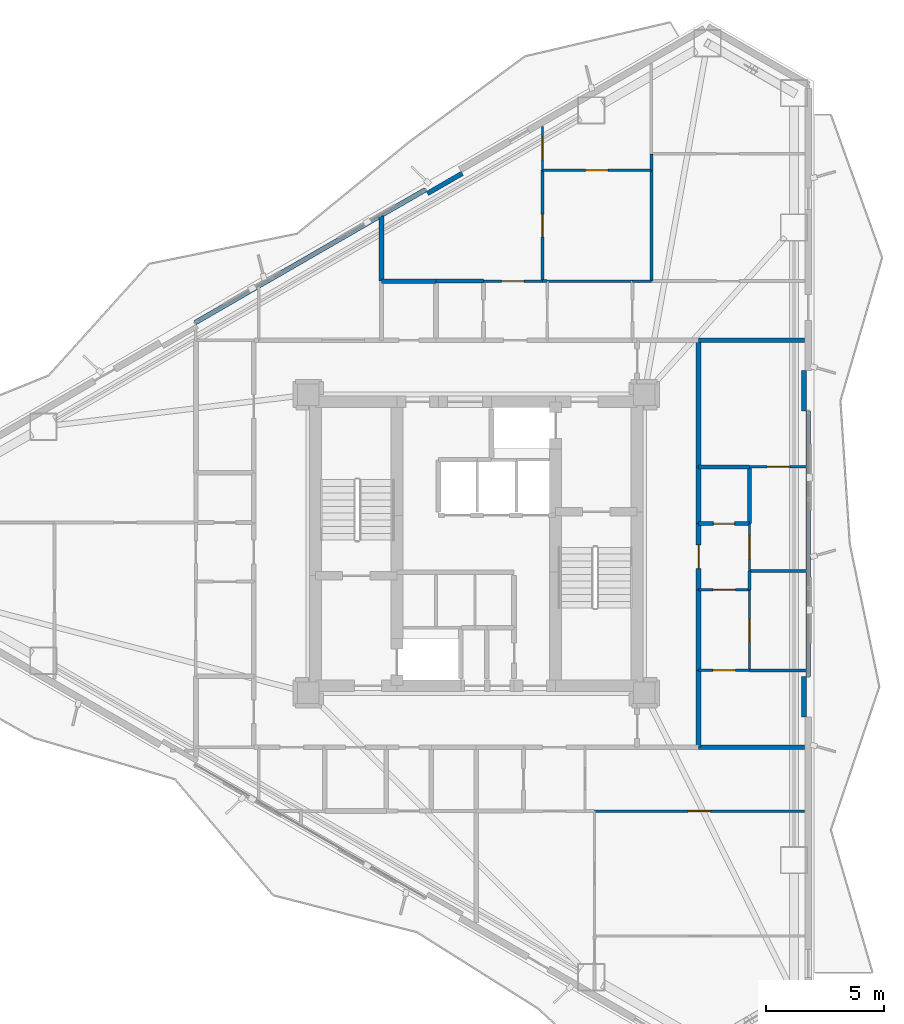
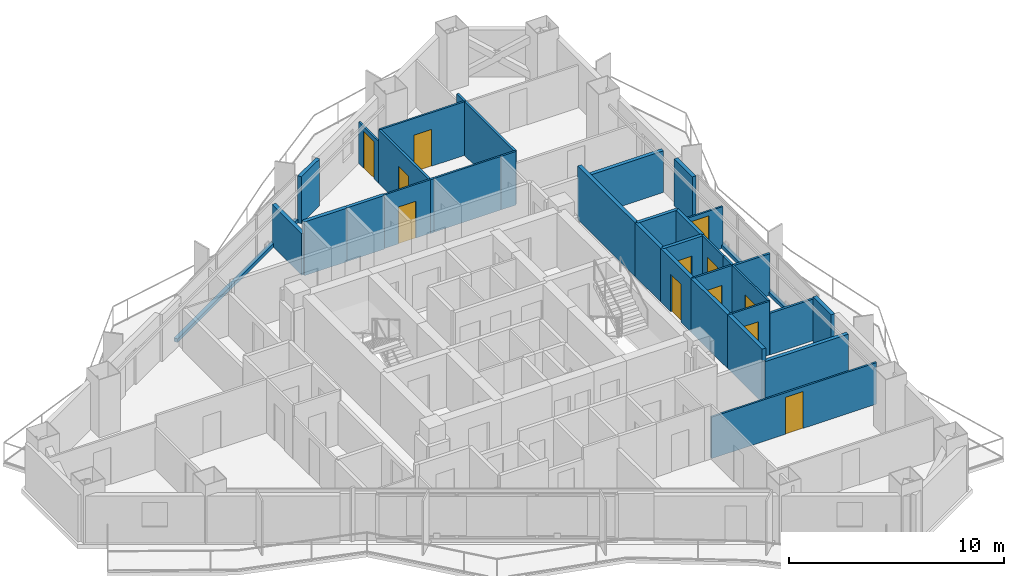
# One storey, part 19 of 22: 36 walls, 12 doors, 12 openings.
"""IFC4 building model written with IfcOpenShell, lengths in metres."""

from ifc_helpers import new_model, si_unit, direction, frame, frame_2d, origin, place, context, subcontext, project, spatial, rectangle, extrude, material, layer, layer_set, type_object, element, fill, save


model = new_model("IFC4")

# Units and contexts
model_context = context("Model", 3, precision=1e-05, world=origin(), true_north=direction((0.0, 1.0)))
body_context = subcontext(model_context, "Body", "Model", "MODEL_VIEW")
ifc_project = project(units=[si_unit("LENGTHUNIT", "METRE"), si_unit("AREAUNIT", "SQUARE_METRE"), si_unit("VOLUMEUNIT", "CUBIC_METRE"), si_unit("PLANEANGLEUNIT", "RADIAN"), si_unit("MASSUNIT", "GRAM", prefix="KILO")], contexts=[model_context])

# Site, building, storey
site_placement = place(None, origin())
site = spatial("IfcSite", under=ifc_project, at=site_placement, CompositionType="ELEMENT")
building_placement = place(site_placement, origin())
building = spatial("IfcBuilding", under=site, at=building_placement, Name="Mersakhor Tower and Convention Hall", CompositionType="ELEMENT")
storey_placement = place(building_placement, frame((0.0, 0.0, 76.800048828125)))
storey = spatial("IfcBuildingStorey", under=building, at=storey_placement, Name="L20", CompositionType="ELEMENT", Elevation=76.800048828125)

# Walls
ifc_material_1 = material(Name="Precast concrete C40/50", Category="concrete")
ifc_layer_1 = layer(ifc_material_1, 0.199951171875)
ifc_layer_set_1 = layer_set([ifc_layer_1], Name="Precast concrete C40/50")
wall_type_1 = type_object("IfcWallType", Name="WL-PAR-200", PredefinedType="PARAPET", material=ifc_layer_set_1)
wall_1_placement = place(storey_placement, frame((17.1201171875, 36.096923828125, 0.0), z_axis=(0.0, 0.0, 1.0), x_axis=(0.866027010039, 0.499997217876, 0.0)))
element("IfcWall", 1, at=wall_1_placement, inside=storey, type_object=wall_type_1, Name="L20 Curtain Wall Upstand Sill F1-B2", PredefinedType="PARAPET", context=body_context, shape_type="SweptSolid", body=[
    extrude(rectangle(XDim=11.2294921875, YDim=0.199951171875, at=frame_2d((5.61474609375, 0.0))), origin(), (0.0, 0.0, 1.0), 0.199951171875),
])
wall_2_placement = place(storey_placement, frame((26.935302734375, 41.555908203125, 0.0), z_axis=(0.0, 0.0, 1.0), x_axis=(0.86605165483, 0.499954529098, 0.0)))
element("IfcWall", 2, at=wall_2_placement, inside=storey, type_object=wall_type_1, Name="L20 Column Pier Cladding Wall F1-C2", PredefinedType="PARAPET", context=body_context, shape_type="SweptSolid", body=[
    extrude(rectangle(XDim=1.699951171875, YDim=0.199951171875, at=frame_2d((0.85009765625, 0.0))), origin(), (0.0, 0.0, 1.0), 2.669921875),
])
wall_3_placement = place(storey_placement, frame((43.03466796875, 32.36474609375, 0.0), z_axis=(0.0, 0.0, 1.0), x_axis=(0.0, -1.0, 0.0)))
element("IfcWall", 3, at=wall_3_placement, inside=storey, type_object=wall_type_1, Name="L20 Curtain Wall Upstand Sill F2-B2", PredefinedType="PARAPET", context=body_context, shape_type="SweptSolid", body=[
    extrude(rectangle(XDim=11.2294921875, YDim=0.199951171875, at=frame_2d((5.61474609375, 0.0))), origin(), (0.0, 0.0, 1.0), 0.199951171875),
])
for number, where, z_axis, x_axis, name in (
    (4, (42.8544921875, 34.064697265625, 0.0), (0.0, 0.0, 1.0), (0.0, -1.0, 0.0), "L20 Column Pier Cladding Wall F2-C1"),
    (5, (42.8544921875, 21.13525390625, 0.0), (0.0, 0.0, 1.0), (0.0, -1.0, 0.0), "L20 Column Pier Cladding Wall F2-C2"),
):
    element("IfcWall", number, at=place(storey_placement, frame(where, z_axis=z_axis, x_axis=x_axis)), inside=storey, type_object=wall_type_1, Name=name, PredefinedType="PARAPET", context=body_context, shape_type="SweptSolid", body=[
        extrude(rectangle(XDim=1.699951171875, YDim=0.199951171875, at=frame_2d((0.85009765625, 0.0))), origin(), (0.0, 0.0, 1.0), 2.669921875),
    ])

# Wall, opening, door
ifc_material_2 = material(Name="Moisture-resistant acoustic drywall studwork", Category="other")
ifc_layer_2 = layer(ifc_material_2, 0.175048828125)
ifc_layer_set_2 = layer_set([ifc_layer_2], Name="Moisture-resistant acoustic drywall studwork")
wall_type_2 = type_object("IfcWallType", Name="WL-PLM-175", PredefinedType="PLUMBINGWALL", material=ifc_layer_set_2)
wall_4_placement = place(storey_placement, frame((38.39990234375, 27.60009765625, 0.0), z_axis=(0.0, 0.0, 1.0), x_axis=(1.0, 0.0, 0.0)))
wall_4 = element("IfcWall", 6, at=wall_4_placement, inside=storey, type_object=wall_type_2, Name="L20 Interior Partition Wall P-079", PredefinedType="PLUMBINGWALL", context=body_context, shape_type="SweptSolid", body=[
    extrude(rectangle(XDim=2.150146484375, YDim=0.175048828125, at=frame_2d((1.0751953125, 0.0))), origin(), (0.0, 0.0, 1.0), 3.050048828125),
])
opening_1_placement = place(wall_4_placement, frame((0.625, 0.0, 0.0)))
opening_1 = element("IfcOpeningElement", 7, at=opening_1_placement, cuts=wall_4, Name="Opening WD-01", PredefinedType="OPENING", context=body_context, shape_type="SweptSolid", body=[
    extrude(rectangle(XDim=0.89990234375, YDim=2.10009765625, at=frame_2d((0.449951171875, 1.050048828125))), frame((0.0, 0.097412109375, 0.0), z_axis=(0.0, -1.0, 0.0), x_axis=(1.0, 0.0, 0.0)), (0.0, 0.0, 1.0), 0.195068359375),
])
ifc_material_3 = material(Name="Solid-core hardwood leaf in painted steel frame", Category="steel")
door_type_1 = type_object("IfcDoorType", Name="DR-INT-WET-090x210", OperationType="NOTDEFINED", PredefinedType="DOOR", material=ifc_material_3)
door_1_placement = place(opening_1_placement, origin())
door_1 = element("IfcDoor", 8, at=door_1_placement, inside=storey, type_object=door_type_1, Name="L20 L20 Flat E5 Apartment Hall to L20 Flat E5 Bathroom Door", OperationType="SINGLE_SWING_LEFT", OverallHeight=2.10009765625, OverallWidth=0.89990234375, PredefinedType="DOOR", context=body_context, shape_type="SweptSolid", body=[
    extrude(rectangle(XDim=0.89990234375, YDim=2.10009765625, at=frame_2d((0.449951171875, 1.050048828125))), frame((0.0, 0.02490234375, 0.0), z_axis=(0.0, -1.0, 0.0), x_axis=(1.0, 0.0, 0.0)), (0.0, 0.0, 1.0), 0.050048828125),
])
fill(opening_1, door_1)

# Walls
wall_5_placement = place(storey_placement, frame((27.300048828125, 37.85009765625, 0.0), z_axis=(0.0, 0.0, 1.0), x_axis=(1.0, 0.0, 0.0)))
element("IfcWall", 9, at=wall_5_placement, inside=storey, type_object=wall_type_2, Name="L20 Interior Partition Wall P-083", PredefinedType="PLUMBINGWALL", context=body_context, shape_type="SweptSolid", body=[
    extrude(rectangle(XDim=2.0, YDim=0.175048828125, at=frame_2d((1.0, 0.0))), origin(), (0.0, 0.0, 1.0), 3.050048828125),
])
wall_6_placement = place(storey_placement, frame((40.550048828125, 30.0, 0.0), z_axis=(0.0, 0.0, 1.0), x_axis=(0.0, -1.0, 0.0)))
element("IfcWall", 10, at=wall_6_placement, inside=storey, type_object=wall_type_2, Name="L20 Interior Partition Wall P-098", PredefinedType="PLUMBINGWALL", context=body_context, shape_type="SweptSolid", body=[
    extrude(rectangle(XDim=2.39990234375, YDim=0.175048828125, at=frame_2d((1.199951171875, 0.0))), origin(), (0.0, 0.0, 1.0), 3.050048828125),
])
wall_7_placement = place(storey_placement, frame((38.39990234375, 30.0, 0.0), z_axis=(0.0, 0.0, 1.0), x_axis=(1.0, 0.0, 0.0)))
element("IfcWall", 11, at=wall_7_placement, inside=storey, type_object=wall_type_2, Name="L20 Interior Partition Wall P-099", PredefinedType="PLUMBINGWALL", context=body_context, shape_type="SweptSolid", body=[
    extrude(rectangle(XDim=2.150146484375, YDim=0.175048828125, at=frame_2d((1.0751953125, 0.0))), origin(), (0.0, 0.0, 1.0), 3.050048828125),
])

# Wall, opening, door
ifc_material_4 = material(Name="Lightweight gypsum partition", Category="other")
ifc_layer_3 = layer(ifc_material_4, 0.10009765625)
ifc_layer_set_3 = layer_set([ifc_layer_3], Name="Lightweight gypsum partition")
wall_type_3 = type_object("IfcWallType", Name="WL-PRT-100", PredefinedType="PARTITIONING", material=ifc_layer_set_3)
wall_8_placement = place(storey_placement, frame((29.300048828125, 37.85009765625, 0.0), z_axis=(0.0, 0.0, 1.0), x_axis=(1.0, 0.0, 0.0)))
wall_8 = element("IfcWall", 12, at=wall_8_placement, inside=storey, type_object=wall_type_3, Name="L20 Interior Partition Wall P-066", PredefinedType="PARTITIONING", context=body_context, shape_type="SweptSolid", body=[
    extrude(rectangle(XDim=2.5, YDim=0.10009765625, at=frame_2d((1.25, 0.0))), origin(), (0.0, 0.0, 1.0), 3.050048828125),
])
opening_2_placement = place(wall_8_placement, frame((0.77490234375, 0.0, 0.0)))
opening_2 = element("IfcOpeningElement", 13, at=opening_2_placement, cuts=wall_8, Name="Opening RD-01", PredefinedType="OPENING", context=body_context, shape_type="SweptSolid", body=[
    extrude(rectangle(XDim=0.949951171875, YDim=2.10009765625, at=frame_2d((0.47509765625, 1.050048828125))), frame((0.0, 0.06005859375, 0.0), z_axis=(0.0, -1.0, 0.0), x_axis=(1.0, 0.0, 0.0)), (0.0, 0.0, 1.0), 0.1201171875),
])
ifc_material_5 = material(Name="Solid-core hardwood leaf in painted steel frame", Category="steel")
door_type_2 = type_object("IfcDoorType", Name="DR-INT-RM-095x210", OperationType="NOTDEFINED", PredefinedType="DOOR", material=ifc_material_5)
door_2_placement = place(opening_2_placement, origin())
door_2 = element("IfcDoor", 14, at=door_2_placement, inside=storey, type_object=door_type_2, Name="L20 L20 Flat N1 Apartment Hall to L20 Flat N1 Living and Dining Room Door", OperationType="SINGLE_SWING_RIGHT", OverallHeight=2.10009765625, OverallWidth=0.949951171875, PredefinedType="DOOR", context=body_context, shape_type="SweptSolid", body=[
    extrude(rectangle(XDim=0.949951171875, YDim=2.10009765625, at=frame_2d((0.47509765625, 1.050048828125))), frame((0.0, 0.02490234375, 0.0), z_axis=(0.0, -1.0, 0.0), x_axis=(1.0, 0.0, 0.0)), (0.0, 0.0, 1.0), 0.050048828125),
])
fill(opening_2, door_2)

wall_9_placement = place(storey_placement, frame((40.550048828125, 27.60009765625, 0.0), z_axis=(0.0, 0.0, 1.0), x_axis=(0.0, -1.0, 0.0)))
wall_9 = element("IfcWall", 15, at=wall_9_placement, inside=storey, type_object=wall_type_3, Name="L20 Interior Partition Wall P-076", PredefinedType="PARTITIONING", context=body_context, shape_type="SweptSolid", body=[
    extrude(rectangle(XDim=2.0, YDim=0.10009765625, at=frame_2d((1.0, 0.0))), origin(), (0.0, 0.0, 1.0), 3.050048828125),
])
opening_3_placement = place(wall_9_placement, frame((0.52490234375, 0.0, 0.0)))
opening_3 = element("IfcOpeningElement", 16, at=opening_3_placement, cuts=wall_9, Name="Opening RD-01", PredefinedType="OPENING", context=body_context, shape_type="SweptSolid", body=[
    extrude(rectangle(XDim=0.949951171875, YDim=2.10009765625, at=frame_2d((0.47509765625, 1.050048828125))), frame((0.0, 0.06005859375, 0.0), z_axis=(0.0, -1.0, 0.0), x_axis=(1.0, 0.0, 0.0)), (0.0, 0.0, 1.0), 0.1201171875),
])
door_3_placement = place(opening_3_placement, origin())
door_3 = element("IfcDoor", 17, at=door_3_placement, inside=storey, type_object=door_type_2, Name="L20 L20 Flat E5 Apartment Hall to L20 Flat E5 Master Bedroom Door", OperationType="SINGLE_SWING_RIGHT", OverallHeight=2.10009765625, OverallWidth=0.949951171875, PredefinedType="DOOR", context=body_context, shape_type="SweptSolid", body=[
    extrude(rectangle(XDim=0.949951171875, YDim=2.10009765625, at=frame_2d((0.47509765625, 1.050048828125))), frame((0.0, 0.02490234375, 0.0), z_axis=(0.0, -1.0, 0.0), x_axis=(1.0, 0.0, 0.0)), (0.0, 0.0, 1.0), 0.050048828125),
])
fill(opening_3, door_3)

wall_10_placement = place(storey_placement, frame((40.550048828125, 24.800048828125, 0.0), z_axis=(0.0, 0.0, 1.0), x_axis=(-1.0, 0.0, 0.0)))
wall_10 = element("IfcWall", 18, at=wall_10_placement, inside=storey, type_object=wall_type_3, Name="L20 Interior Partition Wall P-078", PredefinedType="PARTITIONING", context=body_context, shape_type="SweptSolid", body=[
    extrude(rectangle(XDim=2.150146484375, YDim=0.10009765625, at=frame_2d((1.0751953125, 0.0))), origin(), (0.0, 0.0, 1.0), 3.050048828125),
])
opening_4_placement = place(wall_10_placement, frame((0.60009765625, 0.0, 0.0)))
opening_4 = element("IfcOpeningElement", 19, at=opening_4_placement, cuts=wall_10, Name="Opening RD-01", PredefinedType="OPENING", context=body_context, shape_type="SweptSolid", body=[
    extrude(rectangle(XDim=0.949951171875, YDim=2.10009765625, at=frame_2d((0.47509765625, 1.050048828125))), frame((0.0, 0.06005859375, 0.0), z_axis=(0.0, -1.0, 0.0), x_axis=(1.0, 0.0, 0.0)), (0.0, 0.0, 1.0), 0.1201171875),
])
door_4_placement = place(opening_4_placement, origin())
door_4 = element("IfcDoor", 20, at=door_4_placement, inside=storey, type_object=door_type_2, Name="L20 L20 Flat E5 Apartment Hall to L20 Flat E5 Dining Alcove Door", OperationType="SINGLE_SWING_LEFT", OverallHeight=2.10009765625, OverallWidth=0.949951171875, PredefinedType="DOOR", context=body_context, shape_type="SweptSolid", body=[
    extrude(rectangle(XDim=0.949951171875, YDim=2.10009765625, at=frame_2d((0.47509765625, 1.050048828125))), frame((0.0, 0.02490234375, 0.0), z_axis=(0.0, -1.0, 0.0), x_axis=(1.0, 0.0, 0.0)), (0.0, 0.0, 1.0), 0.050048828125),
])
fill(opening_4, door_4)

# Wall
wall_11_placement = place(storey_placement, frame((32.0, 37.85009765625, 0.0), z_axis=(0.0, 0.0, 1.0), x_axis=(1.0, 0.0, 0.0)))
element("IfcWall", 21, at=wall_11_placement, inside=storey, type_object=wall_type_3, Name="L20 Interior Partition Wall P-084", PredefinedType="PARTITIONING", context=body_context, shape_type="SweptSolid", body=[
    extrude(rectangle(XDim=3.60009765625, YDim=0.10009765625, at=frame_2d((1.800048828125, 0.0))), origin(), (0.0, 0.0, 1.0), 3.050048828125),
])

# Wall, opening, door
wall_12_placement = place(storey_placement, frame((42.873046875, 15.449951171875, 0.0), z_axis=(0.0, 0.0, 1.0), x_axis=(-1.0, 0.0, 0.0)))
wall_12 = element("IfcWall", 22, at=wall_12_placement, inside=storey, type_object=wall_type_3, Name="L20 Interior Partition Wall P-092", PredefinedType="PARTITIONING", context=body_context, shape_type="SweptSolid", body=[
    extrude(rectangle(XDim=8.873046875, YDim=0.10009765625, at=frame_2d((4.4365234375, 0.0))), origin(), (0.0, 0.0, 1.0), 2.364990234375),
])
opening_5_placement = place(wall_12_placement, frame((3.961669921875, 0.0, 0.0)))
opening_5 = element("IfcOpeningElement", 23, at=opening_5_placement, cuts=wall_12, Name="Opening RD-01", PredefinedType="OPENING", context=body_context, shape_type="SweptSolid", body=[
    extrude(rectangle(XDim=0.949951171875, YDim=2.10009765625, at=frame_2d((0.47509765625, 1.050048828125))), frame((0.0, 0.06005859375, 0.0), z_axis=(0.0, -1.0, 0.0), x_axis=(1.0, 0.0, 0.0)), (0.0, 0.0, 1.0), 0.1201171875),
])
door_5_placement = place(opening_5_placement, origin())
door_5 = element("IfcDoor", 24, at=door_5_placement, inside=storey, type_object=door_type_2, Name="L20 L20 Flat S3 Kitchen to L20 Flat S3 Dining Room Door", OperationType="SINGLE_SWING_RIGHT", OverallHeight=2.10009765625, OverallWidth=0.949951171875, PredefinedType="DOOR", context=body_context, shape_type="SweptSolid", body=[
    extrude(rectangle(XDim=0.949951171875, YDim=2.10009765625, at=frame_2d((0.47509765625, 1.050048828125))), frame((0.0, 0.02490234375, 0.0), z_axis=(0.0, -1.0, 0.0), x_axis=(1.0, 0.0, 0.0)), (0.0, 0.0, 1.0), 0.050048828125),
])
fill(opening_5, door_5)

wall_13_placement = place(storey_placement, frame((38.39990234375, 21.39990234375, 0.0), z_axis=(0.0, 0.0, 1.0), x_axis=(1.0, 0.0, 0.0)))
wall_13 = element("IfcWall", 25, at=wall_13_placement, inside=storey, type_object=wall_type_3, Name="L20 Interior Partition Wall P-100", PredefinedType="PARTITIONING", context=body_context, shape_type="SweptSolid", body=[
    extrude(rectangle(XDim=2.150146484375, YDim=0.10009765625, at=frame_2d((1.0751953125, 0.0))), origin(), (0.0, 0.0, 1.0), 3.050048828125),
])
opening_6_placement = place(wall_13_placement, frame((0.60009765625, 0.0, 0.0)))
opening_6 = element("IfcOpeningElement", 26, at=opening_6_placement, cuts=wall_13, Name="Opening RD-01", PredefinedType="OPENING", context=body_context, shape_type="SweptSolid", body=[
    extrude(rectangle(XDim=0.949951171875, YDim=2.10009765625, at=frame_2d((0.47509765625, 1.050048828125))), frame((0.0, 0.06005859375, 0.0), z_axis=(0.0, -1.0, 0.0), x_axis=(1.0, 0.0, 0.0)), (0.0, 0.0, 1.0), 0.1201171875),
])
door_6_placement = place(opening_6_placement, origin())
door_6 = element("IfcDoor", 27, at=door_6_placement, inside=storey, type_object=door_type_2, Name="L20 L20 Flat E5 Kitchen to L20 Flat E5 Dining Alcove Door", OperationType="SINGLE_SWING_RIGHT", OverallHeight=2.10009765625, OverallWidth=0.949951171875, PredefinedType="DOOR", context=body_context, shape_type="SweptSolid", body=[
    extrude(rectangle(XDim=0.949951171875, YDim=2.10009765625, at=frame_2d((0.47509765625, 1.050048828125))), frame((0.0, 0.02490234375, 0.0), z_axis=(0.0, -1.0, 0.0), x_axis=(1.0, 0.0, 0.0)), (0.0, 0.0, 1.0), 0.050048828125),
])
fill(opening_6, door_6)

# Wall
wall_14_placement = place(storey_placement, frame((35.60009765625, 37.85009765625, 0.0), z_axis=(0.0, 0.0, 1.0), x_axis=(1.0, 0.0, 0.0)))
element("IfcWall", 28, at=wall_14_placement, inside=storey, type_object=wall_type_3, Name="L20 Interior Partition Wall P-110", PredefinedType="PARTITIONING", context=body_context, shape_type="SweptSolid", body=[
    extrude(rectangle(XDim=0.7998046875, YDim=0.10009765625, at=frame_2d((0.39990234375, 0.0))), origin(), (0.0, 0.0, 1.0), 3.050048828125),
])

# Wall, opening, door
wall_15_placement = place(storey_placement, frame((31.800048828125, 44.3857421875, 0.0), z_axis=(0.0, 0.0, 1.0), x_axis=(0.0, -1.0, 0.0)))
wall_15 = element("IfcWall", 29, at=wall_15_placement, inside=storey, type_object=wall_type_3, Name="L20 Interior Partition Wall P-112", PredefinedType="PARTITIONING", context=body_context, shape_type="SweptSolid", body=[
    extrude(rectangle(XDim=1.845703125, YDim=0.10009765625, at=frame_2d((0.9228515625, 0.0))), origin(), (0.0, 0.0, 1.0), 2.364990234375),
])
opening_7_placement = place(wall_15_placement, frame((0.447998046875, 0.0, 0.0)))
opening_7 = element("IfcOpeningElement", 30, at=opening_7_placement, cuts=wall_15, Name="Opening RD-01", PredefinedType="OPENING", context=body_context, shape_type="SweptSolid", body=[
    extrude(rectangle(XDim=0.949951171875, YDim=2.10009765625, at=frame_2d((0.47509765625, 1.050048828125))), frame((0.0, 0.06005859375, 0.0), z_axis=(0.0, -1.0, 0.0), x_axis=(1.0, 0.0, 0.0)), (0.0, 0.0, 1.0), 0.1201171875),
])
door_7_placement = place(opening_7_placement, origin())
door_7 = element("IfcDoor", 31, at=door_7_placement, inside=storey, type_object=door_type_2, Name="L20 L20 Flat N1 Living and Dining Room to L20 Flat N1 Study Room Door", OperationType="SINGLE_SWING_LEFT", OverallHeight=2.10009765625, OverallWidth=0.949951171875, PredefinedType="DOOR", context=body_context, shape_type="SweptSolid", body=[
    extrude(rectangle(XDim=0.949951171875, YDim=2.10009765625, at=frame_2d((0.47509765625, 1.050048828125))), frame((0.0, 0.02490234375, 0.0), z_axis=(0.0, -1.0, 0.0), x_axis=(1.0, 0.0, 0.0)), (0.0, 0.0, 1.0), 0.050048828125),
])
fill(opening_7, door_7)

wall_16_placement = place(storey_placement, frame((31.800048828125, 42.5400390625, 0.0), z_axis=(0.0, 0.0, 1.0), x_axis=(1.0, 0.0, 0.0)))
wall_16 = element("IfcWall", 32, at=wall_16_placement, inside=storey, type_object=wall_type_3, Name="L20 Interior Partition Wall P-114", PredefinedType="PARTITIONING", context=body_context, shape_type="SweptSolid", body=[
    extrude(rectangle(XDim=4.599853515625, YDim=0.10009765625, at=frame_2d((2.2998046875, 0.0))), origin(), (0.0, 0.0, 1.0), 3.050048828125),
])
opening_8_placement = place(wall_16_placement, frame((1.824951171875, 0.0, 0.0)))
opening_8 = element("IfcOpeningElement", 33, at=opening_8_placement, cuts=wall_16, Name="Opening RD-01", PredefinedType="OPENING", context=body_context, shape_type="SweptSolid", body=[
    extrude(rectangle(XDim=0.949951171875, YDim=2.10009765625, at=frame_2d((0.47509765625, 1.050048828125))), frame((0.0, 0.06005859375, 0.0), z_axis=(0.0, -1.0, 0.0), x_axis=(1.0, 0.0, 0.0)), (0.0, 0.0, 1.0), 0.1201171875),
])
door_8_placement = place(opening_8_placement, origin())
door_8 = element("IfcDoor", 34, at=door_8_placement, inside=storey, type_object=door_type_2, Name="L20 L20 Flat N1 Bedroom 1 to L20 Flat N1 Study Room Door", OperationType="SINGLE_SWING_RIGHT", OverallHeight=2.10009765625, OverallWidth=0.949951171875, PredefinedType="DOOR", context=body_context, shape_type="SweptSolid", body=[
    extrude(rectangle(XDim=0.949951171875, YDim=2.10009765625, at=frame_2d((0.47509765625, 1.050048828125))), frame((0.0, 0.02490234375, 0.0), z_axis=(0.0, -1.0, 0.0), x_axis=(1.0, 0.0, 0.0)), (0.0, 0.0, 1.0), 0.050048828125),
])
fill(opening_8, door_8)

wall_17_placement = place(storey_placement, frame((42.99853515625, 30.0, 0.0), z_axis=(0.0, 0.0, 1.0), x_axis=(-1.0, 0.0, 0.0)))
wall_17 = element("IfcWall", 35, at=wall_17_placement, inside=storey, type_object=wall_type_3, Name="L20 Interior Partition Wall P-138", PredefinedType="PARTITIONING", context=body_context, shape_type="SweptSolid", body=[
    extrude(rectangle(XDim=2.448486328125, YDim=0.10009765625, at=frame_2d((1.22412109375, 0.0))), origin(), (0.0, 0.0, 1.0), 2.364990234375),
])
opening_9_placement = place(wall_17_placement, frame((0.749267578125, 0.0, 0.0)))
opening_9 = element("IfcOpeningElement", 36, at=opening_9_placement, cuts=wall_17, Name="Opening RD-01", PredefinedType="OPENING", context=body_context, shape_type="SweptSolid", body=[
    extrude(rectangle(XDim=0.949951171875, YDim=2.10009765625, at=frame_2d((0.47509765625, 1.050048828125))), frame((0.0, 0.06005859375, 0.0), z_axis=(0.0, -1.0, 0.0), x_axis=(1.0, 0.0, 0.0)), (0.0, 0.0, 1.0), 0.1201171875),
])
door_9_placement = place(opening_9_placement, origin())
door_9 = element("IfcDoor", 37, at=door_9_placement, inside=storey, type_object=door_type_2, Name="L20 L20 Flat E5 Living and Dining Room to L20 Flat E5 Master Bedroom Door", OperationType="SINGLE_SWING_RIGHT", OverallHeight=2.10009765625, OverallWidth=0.949951171875, PredefinedType="DOOR", context=body_context, shape_type="SweptSolid", body=[
    extrude(rectangle(XDim=0.949951171875, YDim=2.10009765625, at=frame_2d((0.47509765625, 1.050048828125))), frame((0.0, 0.02490234375, 0.0), z_axis=(0.0, -1.0, 0.0), x_axis=(1.0, 0.0, 0.0)), (0.0, 0.0, 1.0), 0.050048828125),
])
fill(opening_9, door_9)

wall_18_placement = place(storey_placement, frame((40.550048828125, 21.39990234375, 0.0), z_axis=(0.0, 0.0, 1.0), x_axis=(0.0, 1.0, 0.0)))
wall_18 = element("IfcWall", 38, at=wall_18_placement, inside=storey, type_object=wall_type_3, Name="L20 Interior Partition Wall P-140", PredefinedType="PARTITIONING", context=body_context, shape_type="SweptSolid", body=[
    extrude(rectangle(XDim=3.400146484375, YDim=0.10009765625, at=frame_2d((1.7001953125, 0.0))), origin(), (0.0, 0.0, 1.0), 3.050048828125),
])
opening_10_placement = place(wall_18_placement, frame((1.22509765625, 0.0, 0.0)))
opening_10 = element("IfcOpeningElement", 39, at=opening_10_placement, cuts=wall_18, Name="Opening RD-01", PredefinedType="OPENING", context=body_context, shape_type="SweptSolid", body=[
    extrude(rectangle(XDim=0.949951171875, YDim=2.10009765625, at=frame_2d((0.47509765625, 1.050048828125))), frame((0.0, 0.06005859375, 0.0), z_axis=(0.0, -1.0, 0.0), x_axis=(1.0, 0.0, 0.0)), (0.0, 0.0, 1.0), 0.1201171875),
])
door_10_placement = place(opening_10_placement, origin())
door_10 = element("IfcDoor", 40, at=door_10_placement, inside=storey, type_object=door_type_2, Name="L20 L20 Flat E5 Bedroom 2 to L20 Flat E5 Dining Alcove Door", OperationType="SINGLE_SWING_LEFT", OverallHeight=2.10009765625, OverallWidth=0.949951171875, PredefinedType="DOOR", context=body_context, shape_type="SweptSolid", body=[
    extrude(rectangle(XDim=0.949951171875, YDim=2.10009765625, at=frame_2d((0.47509765625, 1.050048828125))), frame((0.0, 0.02490234375, 0.0), z_axis=(0.0, -1.0, 0.0), x_axis=(1.0, 0.0, 0.0)), (0.0, 0.0, 1.0), 0.050048828125),
])
fill(opening_10, door_10)

# Walls
ifc_material_6 = material(Name="Gypsum board acoustic partition", Category="other")
ifc_layer_4 = layer(ifc_material_6, 0.125)
ifc_layer_set_4 = layer_set([ifc_layer_4], Name="Gypsum board acoustic partition")
wall_type_4 = type_object("IfcWallType", Name="WL-PRT-125", PredefinedType="PARTITIONING", material=ifc_layer_set_4)
wall_19_placement = place(storey_placement, frame((31.800048828125, 37.85009765625, 0.0), z_axis=(0.0, 0.0, 1.0), x_axis=(1.0, 0.0, 0.0)))
element("IfcWall", 41, at=wall_19_placement, inside=storey, type_object=wall_type_4, Name="L20 Interior Partition Wall P-067", PredefinedType="PARTITIONING", context=body_context, shape_type="SweptSolid", body=[
    extrude(rectangle(XDim=0.199951171875, YDim=0.125, at=frame_2d((0.10009765625, 0.0))), origin(), (0.0, 0.0, 1.0), 3.050048828125),
])
wall_20_placement = place(storey_placement, frame((40.550048828125, 25.60009765625, 0.0), z_axis=(0.0, 0.0, 1.0), x_axis=(0.0, -1.0, 0.0)))
element("IfcWall", 42, at=wall_20_placement, inside=storey, type_object=wall_type_4, Name="L20 Interior Partition Wall P-077", PredefinedType="PARTITIONING", context=body_context, shape_type="SweptSolid", body=[
    extrude(rectangle(XDim=0.800048828125, YDim=0.125, at=frame_2d((0.39990234375, 0.0))), origin(), (0.0, 0.0, 1.0), 3.050048828125),
])
wall_21_placement = place(storey_placement, frame((40.550048828125, 21.39990234375, 0.0), z_axis=(0.0, 0.0, 1.0), x_axis=(1.0, 0.0, 0.0)))
element("IfcWall", 43, at=wall_21_placement, inside=storey, type_object=wall_type_4, Name="L20 Interior Partition Wall P-101", PredefinedType="PARTITIONING", context=body_context, shape_type="SweptSolid", body=[
    extrude(rectangle(XDim=2.448486328125, YDim=0.125, at=frame_2d((1.22412109375, 0.0))), origin(), (0.0, 0.0, 1.0), 2.364990234375),
])

# Wall, opening, door
wall_22_placement = place(storey_placement, frame((31.800048828125, 42.5400390625, 0.0), z_axis=(0.0, 0.0, 1.0), x_axis=(0.0, -1.0, 0.0)))
wall_22 = element("IfcWall", 44, at=wall_22_placement, inside=storey, type_object=wall_type_4, Name="L20 Interior Partition Wall P-113", PredefinedType="PARTITIONING", context=body_context, shape_type="SweptSolid", body=[
    extrude(rectangle(XDim=4.68994140625, YDim=0.125, at=frame_2d((2.344970703125, 0.0))), origin(), (0.0, 0.0, 1.0), 3.050048828125),
])
opening_11_placement = place(wall_22_placement, frame((1.8701171875, 0.0, 0.0)))
opening_11 = element("IfcOpeningElement", 45, at=opening_11_placement, cuts=wall_22, Name="Opening RD-01", PredefinedType="OPENING", context=body_context, shape_type="SweptSolid", body=[
    extrude(rectangle(XDim=0.949951171875, YDim=2.10009765625, at=frame_2d((0.47509765625, 1.050048828125))), frame((0.0, 0.072509765625, 0.0), z_axis=(0.0, -1.0, 0.0), x_axis=(1.0, 0.0, 0.0)), (0.0, 0.0, 1.0), 0.14501953125),
])
door_11_placement = place(opening_11_placement, origin())
door_11 = element("IfcDoor", 46, at=door_11_placement, inside=storey, type_object=door_type_2, Name="L20 L20 Flat N1 Living and Dining Room to L20 Flat N1 Bedroom 1 Door", OperationType="SINGLE_SWING_RIGHT", OverallHeight=2.10009765625, OverallWidth=0.949951171875, PredefinedType="DOOR", context=body_context, shape_type="SweptSolid", body=[
    extrude(rectangle(XDim=0.949951171875, YDim=2.10009765625, at=frame_2d((0.47509765625, 1.050048828125))), frame((0.0, 0.02490234375, 0.0), z_axis=(0.0, -1.0, 0.0), x_axis=(1.0, 0.0, 0.0)), (0.0, 0.0, 1.0), 0.050048828125),
])
fill(opening_11, door_11)

# Walls
wall_23_placement = place(storey_placement, frame((36.39990234375, 42.5400390625, 0.0), z_axis=(0.0, 0.0, 1.0), x_axis=(0.0, -1.0, 0.0)))
element("IfcWall", 47, at=wall_23_placement, inside=storey, type_object=wall_type_4, Name="L20 Interior Partition Wall P-115", PredefinedType="PARTITIONING", context=body_context, shape_type="SweptSolid", body=[
    extrude(rectangle(XDim=4.68994140625, YDim=0.125, at=frame_2d((2.344970703125, 0.0))), origin(), (0.0, 0.0, 1.0), 3.050048828125),
])
wall_24_placement = place(storey_placement, frame((36.39990234375, 43.22998046875, 0.0), z_axis=(0.0, 0.0, 1.0), x_axis=(0.0, -1.0, 0.0)))
element("IfcWall", 48, at=wall_24_placement, inside=storey, type_object=wall_type_4, Name="L20 Interior Partition Wall P-117", PredefinedType="PARTITIONING", context=body_context, shape_type="SweptSolid", body=[
    extrude(rectangle(XDim=0.68994140625, YDim=0.125, at=frame_2d((0.344970703125, 0.0))), origin(), (0.0, 0.0, 1.0), 3.050048828125),
])
wall_25_placement = place(storey_placement, frame((42.99853515625, 25.60009765625, 0.0), z_axis=(0.0, 0.0, 1.0), x_axis=(-1.0, 0.0, 0.0)))
element("IfcWall", 49, at=wall_25_placement, inside=storey, type_object=wall_type_4, Name="L20 Interior Partition Wall P-139", PredefinedType="PARTITIONING", context=body_context, shape_type="SweptSolid", body=[
    extrude(rectangle(XDim=2.448486328125, YDim=0.125, at=frame_2d((1.22412109375, 0.0))), origin(), (0.0, 0.0, 1.0), 2.364990234375),
])
ifc_material_7 = material(Name="Acoustic concrete blockwork and gypsum board", Category="masonry")
ifc_layer_5 = layer(ifc_material_7, 0.199951171875)
ifc_layer_set_5 = layer_set([ifc_layer_5], Name="Acoustic concrete blockwork and gypsum board")
wall_type_5 = type_object("IfcWallType", Name="WL-PRT-200", PredefinedType="PARTITIONING", material=ifc_layer_set_5)
wall_26_placement = place(storey_placement, frame((38.39990234375, 35.35009765625, 0.0), z_axis=(0.0, 0.0, 1.0), x_axis=(0.0, -1.0, 0.0)))
element("IfcWall", 50, at=wall_26_placement, inside=storey, type_object=wall_type_5, Name="L20 Interior Partition Wall P-058", PredefinedType="PARTITIONING", context=body_context, shape_type="SweptSolid", body=[
    extrude(rectangle(XDim=5.35009765625, YDim=0.199951171875, at=frame_2d((2.675048828125, 0.0))), origin(), (0.0, 0.0, 1.0), 3.050048828125),
])
wall_27_placement = place(storey_placement, frame((38.39990234375, 30.0, 0.0), z_axis=(0.0, 0.0, 1.0), x_axis=(0.0, -1.0, 0.0)))
element("IfcWall", 51, at=wall_27_placement, inside=storey, type_object=wall_type_5, Name="L20 Interior Partition Wall P-059", PredefinedType="PARTITIONING", context=body_context, shape_type="SweptSolid", body=[
    extrude(rectangle(XDim=2.39990234375, YDim=0.199951171875, at=frame_2d((1.199951171875, 0.0))), origin(), (0.0, 0.0, 1.0), 3.050048828125),
])

# Wall, opening, door
wall_28_placement = place(storey_placement, frame((38.39990234375, 27.60009765625, 0.0), z_axis=(0.0, 0.0, 1.0), x_axis=(0.0, -1.0, 0.0)))
wall_28 = element("IfcWall", 52, at=wall_28_placement, inside=storey, type_object=wall_type_5, Name="L20 Interior Partition Wall P-060", PredefinedType="PARTITIONING", context=body_context, shape_type="SweptSolid", body=[
    extrude(rectangle(XDim=2.800048828125, YDim=0.199951171875, at=frame_2d((1.39990234375, 0.0))), origin(), (0.0, 0.0, 1.0), 3.050048828125),
])
opening_12_placement = place(wall_28_placement, frame((0.89990234375, 0.0, 0.0)))
opening_12 = element("IfcOpeningElement", 53, at=opening_12_placement, cuts=wall_28, Name="Opening FD-01", PredefinedType="OPENING", context=body_context, shape_type="SweptSolid", body=[
    extrude(rectangle(XDim=1.0, YDim=2.14990234375, at=frame_2d((0.5, 1.074951171875))), frame((0.0, 0.10986328125, 0.0), z_axis=(0.0, -1.0, 0.0), x_axis=(1.0, 0.0, 0.0)), (0.0, 0.0, 1.0), 0.219970703125),
])
ifc_material_8 = material(Name="Fire-rated hardwood leaf and painted steel frame", Category="steel")
door_type_3 = type_object("IfcDoorType", Name="DR-INT-FLT-100x215", OperationType="NOTDEFINED", PredefinedType="DOOR", material=ifc_material_8)
door_12_placement = place(opening_12_placement, origin())
door_12 = element("IfcDoor", 54, at=door_12_placement, inside=storey, type_object=door_type_3, Name="L20 Apartment Entrance Door (Residential Ring East Corridor to L20 Flat E5 Apartment Hall)", OperationType="SINGLE_SWING_LEFT", OverallHeight=2.14990234375, OverallWidth=1.0, PredefinedType="DOOR", context=body_context, shape_type="SweptSolid", body=[
    extrude(rectangle(XDim=1.0, YDim=2.14990234375, at=frame_2d((0.5, 1.074951171875))), frame((0.0, 0.02490234375, 0.0), z_axis=(0.0, -1.0, 0.0), x_axis=(1.0, 0.0, 0.0)), (0.0, 0.0, 1.0), 0.050048828125),
])
fill(opening_12, door_12)

# Walls
wall_29_placement = place(storey_placement, frame((38.39990234375, 24.800048828125, 0.0), z_axis=(0.0, 0.0, 1.0), x_axis=(0.0, -1.0, 0.0)))
element("IfcWall", 55, at=wall_29_placement, inside=storey, type_object=wall_type_5, Name="L20 Interior Partition Wall P-061", PredefinedType="PARTITIONING", context=body_context, shape_type="SweptSolid", body=[
    extrude(rectangle(XDim=3.400146484375, YDim=0.199951171875, at=frame_2d((1.7001953125, 0.0))), origin(), (0.0, 0.0, 1.0), 3.050048828125),
])
wall_30_placement = place(storey_placement, frame((38.39990234375, 21.39990234375, 0.0), z_axis=(0.0, 0.0, 1.0), x_axis=(0.0, -1.0, 0.0)))
element("IfcWall", 56, at=wall_30_placement, inside=storey, type_object=wall_type_5, Name="L20 Interior Partition Wall P-062", PredefinedType="PARTITIONING", context=body_context, shape_type="SweptSolid", body=[
    extrude(rectangle(XDim=3.25, YDim=0.199951171875, at=frame_2d((1.625, 0.0))), origin(), (0.0, 0.0, 1.0), 3.050048828125),
])
wall_31_placement = place(storey_placement, frame((25.0, 37.85009765625, 0.0), z_axis=(0.0, 0.0, 1.0), x_axis=(1.0, 0.0, 0.0)))
element("IfcWall", 57, at=wall_31_placement, inside=storey, type_object=wall_type_5, Name="L20 Interior Partition Wall P-080", PredefinedType="PARTITIONING", context=body_context, shape_type="SweptSolid", body=[
    extrude(rectangle(XDim=2.300048828125, YDim=0.199951171875, at=frame_2d((1.14990234375, 0.0))), origin(), (0.0, 0.0, 1.0), 3.050048828125),
])
wall_32_placement = place(storey_placement, frame((38.39990234375, 18.14990234375, 0.0), z_axis=(0.0, 0.0, 1.0), x_axis=(1.0, 0.0, 0.0)))
element("IfcWall", 58, at=wall_32_placement, inside=storey, type_object=wall_type_5, Name="L20 Interior Partition Wall P-091", PredefinedType="PARTITIONING", context=body_context, shape_type="SweptSolid", body=[
    extrude(rectangle(XDim=4.47314453125, YDim=0.199951171875, at=frame_2d((2.236572265625, 0.0))), origin(), (0.0, 0.0, 1.0), 2.364990234375),
])
wall_33_placement = place(storey_placement, frame((25.0, 40.604736328125, 0.0), z_axis=(0.0, 0.0, 1.0), x_axis=(0.0, -1.0, 0.0)))
element("IfcWall", 59, at=wall_33_placement, inside=storey, type_object=wall_type_5, Name="L20 Interior Partition Wall P-103", PredefinedType="PARTITIONING", context=body_context, shape_type="SweptSolid", body=[
    extrude(rectangle(XDim=2.754638671875, YDim=0.199951171875, at=frame_2d((1.37744140625, 0.0))), origin(), (0.0, 0.0, 1.0), 2.364990234375),
])
wall_34_placement = place(storey_placement, frame((42.873046875, 35.35009765625, 0.0), z_axis=(0.0, 0.0, 1.0), x_axis=(-1.0, 0.0, 0.0)))
element("IfcWall", 60, at=wall_34_placement, inside=storey, type_object=wall_type_5, Name="L20 Interior Partition Wall P-109", PredefinedType="PARTITIONING", context=body_context, shape_type="SweptSolid", body=[
    extrude(rectangle(XDim=4.47314453125, YDim=0.199951171875, at=frame_2d((2.236572265625, 0.0))), origin(), (0.0, 0.0, 1.0), 2.364990234375),
])

save(model, "model.ifc")
